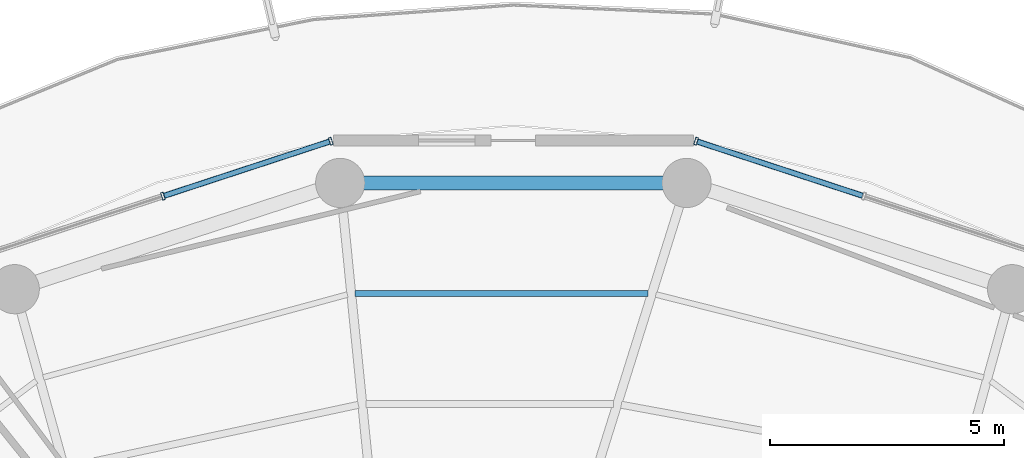
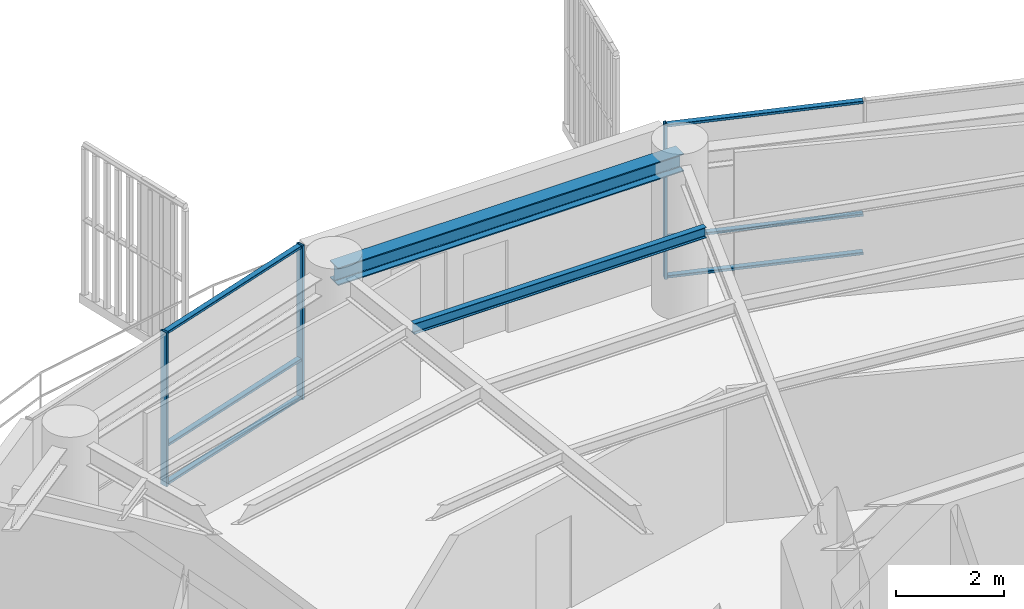
# One storey, part 19 of 30: 9 members, 2 beams, 2 elements without a shape of their own.
"""IFC4 building model written with IfcOpenShell, lengths in metres."""

from ifc_helpers import new_model, si_unit, direction, frame, origin, origin_2d, place, context, subcontext, project, spatial, hollow_rectangle, i_section, extrude, material, layer, layer_set, material_profile, profile_set, type_object, element, aggregate, save


model = new_model("IFC4")

# Units and contexts
model_context = context("Model", 3, precision=1e-05, world=origin(), true_north=direction((0.0, 1.0)))
body_context = subcontext(model_context, "Body", "Model", "MODEL_VIEW")
ifc_project = project(units=[si_unit("LENGTHUNIT", "METRE"), si_unit("AREAUNIT", "SQUARE_METRE"), si_unit("VOLUMEUNIT", "CUBIC_METRE"), si_unit("PLANEANGLEUNIT", "RADIAN"), si_unit("MASSUNIT", "GRAM", prefix="KILO")], contexts=[model_context])

# Site, building, storey
site_placement = place(None, origin())
site = spatial("IfcSite", under=ifc_project, at=site_placement, CompositionType="ELEMENT")
building_placement = place(site_placement, origin())
building = spatial("IfcBuilding", under=site, at=building_placement, Name="Kelanora Arch Commons", CompositionType="ELEMENT")
storey_placement = place(building_placement, frame((0.0, 0.0, 215.699951171875)))
storey = spatial("IfcBuildingStorey", under=building, at=storey_placement, Name="L55", CompositionType="ELEMENT", Elevation=215.699951171875)

# Beams
ifc_material_1 = material(Name="Steel S355", Category="steel")
ifc_material_profile_1 = material_profile(ifc_material_1, i_section(OverallWidth=0.1201171875, OverallDepth=0.239990234375, WebThickness=0.006103515625, FlangeThickness=0.009765625, FilletRadius=0.014892578125, at=origin_2d()), Name="IPE240")
ifc_profile_set_1 = profile_set([ifc_material_profile_1], Name="Steel S355")
beam_type_1 = type_object("IfcBeamType", Name="BM-JST-02", PredefinedType="JOIST", material=ifc_profile_set_1)
beam_1_placement = place(storey_placement, frame((76.87109375, 74.43212890625, 3.3701171875), z_axis=(-1.0, 0.0, 0.0), x_axis=(0.0, -1.0, 0.0)))
element("IfcBeam", 1, at=beam_1_placement, inside=storey, type_object=beam_type_1, Name="Secondary Chord Joist BJC-08 L55", PredefinedType="JOIST", context=body_context, shape_type="SweptSolid", body=[
    extrude(i_section(OverallWidth=0.1201171875, OverallDepth=0.239990234375, WebThickness=0.006103515625, FlangeThickness=0.009765625, FilletRadius=0.014892578125, at=origin_2d()), origin(), (0.0, 0.0, 1.0), 6.246337890625),
])
ifc_material_profile_2 = material_profile(ifc_material_1, i_section(OverallWidth=0.300048828125, OverallDepth=0.39990234375, WebThickness=0.013427734375, FlangeThickness=0.02392578125, FilletRadius=0.027099609375, at=origin_2d()), Name="HEB400")
ifc_profile_set_2 = profile_set([ifc_material_profile_2], Name="Steel S355")
beam_type_2 = type_object("IfcBeamType", Name="BM-SPN-Z4", PredefinedType="SPANDREL", material=ifc_profile_set_2)
beam_2_placement = place(storey_placement, frame((77.6953125, 76.7900390625, 3.2900390625), z_axis=(-1.0, 0.0, 0.0), x_axis=(0.0, -1.0, 0.0)))
element("IfcBeam", 2, at=beam_2_placement, inside=storey, type_object=beam_type_2, Name="Perimeter Spandrel Beam BS-08 L55", PredefinedType="SPANDREL", context=body_context, shape_type="SweptSolid", body=[
    extrude(i_section(OverallWidth=0.300048828125, OverallDepth=0.39990234375, WebThickness=0.013427734375, FlangeThickness=0.02392578125, FilletRadius=0.027099609375, at=origin_2d()), origin(), (0.0, 0.0, 1.0), 7.390625),
])

# Curtain wall, member
ifc_material_2 = material(Name="Terracotta ceramic-fritted low-E glass and aluminium", Category="masonry")
ifc_layer = layer(ifc_material_2, 0.175048828125)
ifc_layer_set = layer_set([ifc_layer], Name="Terracotta ceramic-fritted low-E glass and aluminium")
curtain_wall_type = type_object("IfcCurtainWallType", Name="CW-SYS-02", PredefinedType="NOTDEFINED", material=ifc_layer_set)
curtain_wall_1_placement = place(storey_placement, origin())
curtain_wall_1 = element("IfcCurtainWall", 3, at=curtain_wall_1_placement, inside=storey, type_object=curtain_wall_type, Name="Unitised Curtain Wall L55-B03", PredefinedType="NOTDEFINED")
ifc_material_3 = material(Name="Powder-coated aluminium terracotta", Category="masonry")
ifc_material_profile_3 = material_profile(ifc_material_3, hollow_rectangle(XDim=0.159912109375, YDim=0.06005859375, WallThickness=0.0048828125, InnerFilletRadius=0.0048828125, OuterFilletRadius=0.010009765625, at=origin_2d()), Name="CWM160x60")
ifc_profile_set_3 = profile_set([ifc_material_profile_3], Name="Powder-coated aluminium terracotta")
member_type_1 = type_object("IfcMemberType", Name="CWM-STD", PredefinedType="MULLION", material=ifc_profile_set_3)
member_1_placement = place(storey_placement, frame((77.897705078125, 77.68212890625, 0.0), z_axis=(0.0, 0.0, 1.0), x_axis=(-0.311582439059, -0.950219124029, 0.0)))
member_1 = element("IfcMember", 4, at=member_1_placement, type_object=member_type_1, Name="CW-02 mullion 3", PredefinedType="MULLION", context=body_context, shape_type="SweptSolid", body=[
    extrude(hollow_rectangle(XDim=0.159912109375, YDim=0.06005859375, WallThickness=0.0048828125, InnerFilletRadius=0.0048828125, OuterFilletRadius=0.010009765625, at=origin_2d()), origin(), (0.0, 0.0, 1.0), 3.47509765625),
])

# Curtain wall, members
curtain_wall_2_placement = place(storey_placement, origin())
curtain_wall_2 = element("IfcCurtainWall", 5, at=curtain_wall_2_placement, inside=storey, type_object=curtain_wall_type, Name="Unitised Curtain Wall L55-B05", PredefinedType="NOTDEFINED")
member_2_placement = place(storey_placement, frame((70.102294921875, 77.68212890625, 0.0), z_axis=(0.0, 0.0, 1.0), x_axis=(0.311582439059, -0.950219124029, 0.0)))
member_2 = element("IfcMember", 6, at=member_2_placement, type_object=member_type_1, Name="CW-02 mullion 1", PredefinedType="MULLION", context=body_context, shape_type="SweptSolid", body=[
    extrude(hollow_rectangle(XDim=0.159912109375, YDim=0.06005859375, WallThickness=0.0048828125, InnerFilletRadius=0.0048828125, OuterFilletRadius=0.010009765625, at=origin_2d()), origin(), (0.0, 0.0, 1.0), 3.47509765625),
])
member_3_placement = place(storey_placement, frame((66.5224609375, 76.50830078125, 0.0), z_axis=(0.0, 0.0, 1.0), x_axis=(0.311582439059, -0.950219124029, 0.0)))
member_3 = element("IfcMember", 7, at=member_3_placement, type_object=member_type_1, Name="CW-02 mullion 2", PredefinedType="MULLION", context=body_context, shape_type="SweptSolid", body=[
    extrude(hollow_rectangle(XDim=0.159912109375, YDim=0.06005859375, WallThickness=0.0048828125, InnerFilletRadius=0.0048828125, OuterFilletRadius=0.010009765625, at=origin_2d()), origin(), (0.0, 0.0, 1.0), 3.47509765625),
])

# Member
ifc_material_profile_4 = material_profile(ifc_material_3, hollow_rectangle(XDim=0.1201171875, YDim=0.06005859375, WallThickness=0.0048828125, InnerFilletRadius=0.0048828125, OuterFilletRadius=0.010009765625, at=origin_2d()), Name="CWT120x60")
ifc_profile_set_4 = profile_set([ifc_material_profile_4], Name="Powder-coated aluminium terracotta")
member_type_2 = type_object("IfcMemberType", Name="CWT-STD", PredefinedType="USERDEFINED", material=ifc_profile_set_4)
member_4_placement = place(storey_placement, frame((81.448974609375, 76.517578125, 0.030029296875), z_axis=(-0.950206527055, 0.311620852867, 0.0), x_axis=(-0.311620852867, -0.950206527055, 0.0)))
member_4 = element("IfcMember", 8, at=member_4_placement, type_object=member_type_2, Name="CW-02 transom 2.1", ObjectType="TRANSOM", PredefinedType="USERDEFINED", context=body_context, shape_type="SweptSolid", body=[
    extrude(hollow_rectangle(XDim=0.1201171875, YDim=0.06005859375, WallThickness=0.0048828125, InnerFilletRadius=0.0048828125, OuterFilletRadius=0.010009765625, at=origin_2d()), origin(), (0.0, 0.0, 1.0), 3.707275390625),
])

member_5_placement = place(storey_placement, frame((81.448974609375, 76.517578125, 0.900146484375), z_axis=(-0.950206527055, 0.311620852867, 0.0), x_axis=(-0.311620852867, -0.950206527055, 0.0)))
member_5 = element("IfcMember", 9, at=member_5_placement, type_object=member_type_2, Name="CW-02 transom 2.2", ObjectType="TRANSOM", PredefinedType="USERDEFINED", context=body_context, shape_type="SweptSolid", body=[
    extrude(hollow_rectangle(XDim=0.1201171875, YDim=0.06005859375, WallThickness=0.0048828125, InnerFilletRadius=0.0048828125, OuterFilletRadius=0.010009765625, at=origin_2d()), origin(), (0.0, 0.0, 1.0), 3.707275390625),
])

member_6_placement = place(storey_placement, frame((81.448974609375, 76.517578125, 3.445068359375), z_axis=(-0.950206527055, 0.311620852867, 0.0), x_axis=(-0.311620852867, -0.950206527055, 0.0)))
member_6 = element("IfcMember", 10, at=member_6_placement, type_object=member_type_2, Name="CW-02 transom 2.3", ObjectType="TRANSOM", PredefinedType="USERDEFINED", context=body_context, shape_type="SweptSolid", body=[
    extrude(hollow_rectangle(XDim=0.1201171875, YDim=0.06005859375, WallThickness=0.0048828125, InnerFilletRadius=0.0048828125, OuterFilletRadius=0.010009765625, at=origin_2d()), origin(), (0.0, 0.0, 1.0), 3.707275390625),
])

aggregate(curtain_wall_1, [member_1, member_4, member_5, member_6])

member_7_placement = place(storey_placement, frame((70.07373046875, 77.6728515625, 0.030029296875), z_axis=(-0.950206527055, -0.311620852867, 0.0), x_axis=(0.311620852867, -0.950206527055, 0.0)))
member_7 = element("IfcMember", 11, at=member_7_placement, type_object=member_type_2, Name="CW-02 transom 1.1", ObjectType="TRANSOM", PredefinedType="USERDEFINED", context=body_context, shape_type="SweptSolid", body=[
    extrude(hollow_rectangle(XDim=0.1201171875, YDim=0.06005859375, WallThickness=0.0048828125, InnerFilletRadius=0.0048828125, OuterFilletRadius=0.010009765625, at=origin_2d()), origin(), (0.0, 0.0, 1.0), 3.707275390625),
])

member_8_placement = place(storey_placement, frame((70.07373046875, 77.6728515625, 0.900146484375), z_axis=(-0.950206527055, -0.311620852867, 0.0), x_axis=(0.311620852867, -0.950206527055, 0.0)))
member_8 = element("IfcMember", 12, at=member_8_placement, type_object=member_type_2, Name="CW-02 transom 1.2", ObjectType="TRANSOM", PredefinedType="USERDEFINED", context=body_context, shape_type="SweptSolid", body=[
    extrude(hollow_rectangle(XDim=0.1201171875, YDim=0.06005859375, WallThickness=0.0048828125, InnerFilletRadius=0.0048828125, OuterFilletRadius=0.010009765625, at=origin_2d()), origin(), (0.0, 0.0, 1.0), 3.707275390625),
])

member_9_placement = place(storey_placement, frame((70.07373046875, 77.6728515625, 3.445068359375), z_axis=(-0.950206527055, -0.311620852867, 0.0), x_axis=(0.311620852867, -0.950206527055, 0.0)))
member_9 = element("IfcMember", 13, at=member_9_placement, type_object=member_type_2, Name="CW-02 transom 1.3", ObjectType="TRANSOM", PredefinedType="USERDEFINED", context=body_context, shape_type="SweptSolid", body=[
    extrude(hollow_rectangle(XDim=0.1201171875, YDim=0.06005859375, WallThickness=0.0048828125, InnerFilletRadius=0.0048828125, OuterFilletRadius=0.010009765625, at=origin_2d()), origin(), (0.0, 0.0, 1.0), 3.707275390625),
])

aggregate(curtain_wall_2, [member_2, member_3, member_7, member_8, member_9])

save(model, "model.ifc")
